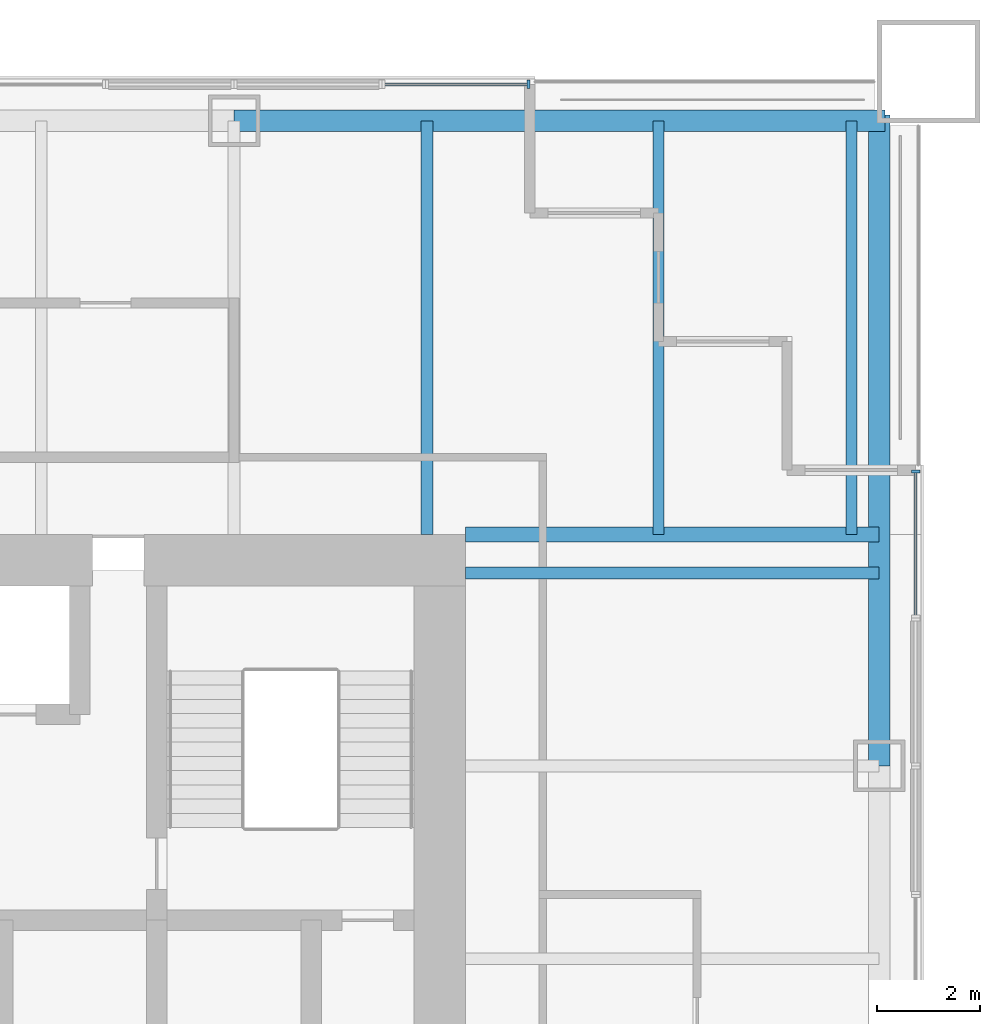
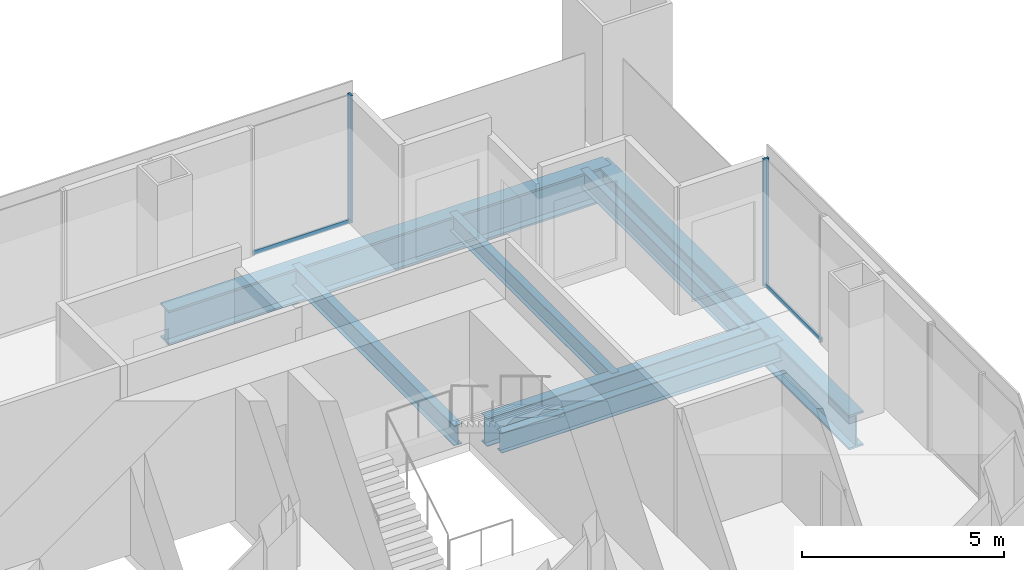
# One storey, part 7 of 14: 7 beams, 4 members, 2 elements without a shape of their own.
"""IFC4 building model written with IfcOpenShell, lengths in metres."""

import ifcopenshell
import ifcopenshell.guid

model = None  # the IFC model being written
_history = None  # IfcOwnerHistory: only IFC2X3 demands one
_inside = {}  # id of a spatial element -> (the spatial element, [elements in it])
_under = {}  # id of a project, library or spatial element -> (it, [spatial elements below it])
_declared = {}  # id of a project -> (the project, [libraries it declares])
_typed = {}  # id of a type object -> (the type object, [elements of that type])
_made_of = {}  # id of a material, layer set ... -> (it, [elements and type objects made of it])


def new_model(schema):
    """Start an empty IFC model of exactly this schema.

    Asked for "IFC4X3", IfcOpenShell would pick the latest addendum, in which some entities
    have other attributes; the version numbers below select the first issue.
    IFC2X3 requires an IfcOwnerHistory on every rooted entity: one is made here for all.
    """
    global model, _history
    if schema == "IFC4X3":
        model = ifcopenshell.file(schema_version=(4, 3, 0, 0))
    else:
        model = ifcopenshell.file(schema=schema)
    _inside.clear()
    _under.clear()
    _declared.clear()
    _typed.clear()
    _made_of.clear()
    _history = None
    if model.schema == "IFC2X3":
        org = make("IfcOrganization", Name="unknown")
        user = make(
            "IfcPersonAndOrganization",
            ThePerson=make("IfcPerson", FamilyName="unknown"),
            TheOrganization=org,
        )
        app = make(
            "IfcApplication",
            ApplicationDeveloper=org,
            Version="unknown",
            ApplicationFullName="unknown",
            ApplicationIdentifier="unknown",
        )
        _history = make(
            "IfcOwnerHistory",
            OwningUser=user,
            OwningApplication=app,
            ChangeAction="ADDED",
            CreationDate=0,
        )
    return model


def make(cls, **values):
    """One entity of the class cls with the attributes given. An attribute that is None is left unset."""
    return model.create_entity(
        cls, **{name: value for name, value in values.items() if value is not None}
    )


def rooted(cls, **values):
    """An entity with a GlobalId (a new one), such as an element, a storey or a relation."""
    return make(cls, GlobalId=ifcopenshell.guid.new(), OwnerHistory=_history, **values)


def si_unit(unit_type, name, prefix=None):
    """IfcSIUnit, for example si_unit("LENGTHUNIT", "METRE", prefix="MILLI")."""
    return make("IfcSIUnit", UnitType=unit_type, Prefix=prefix, Name=name)


def assignment(units):
    """IfcUnitAssignment: the units of a project."""
    return None if units is None else make("IfcUnitAssignment", Units=units)


def point(xyz):
    """IfcCartesianPoint."""
    return None if xyz is None else make("IfcCartesianPoint", Coordinates=xyz)


def direction(xyz):
    """IfcDirection."""
    return None if xyz is None else make("IfcDirection", DirectionRatios=xyz)


def frame(location, z_axis=None, x_axis=None):
    """IfcAxis2Placement3D, a coordinate frame: its origin and axes. An axis left out is left unset."""
    return make(
        "IfcAxis2Placement3D",
        Location=point(location),
        Axis=direction(z_axis),
        RefDirection=direction(x_axis),
    )


def frame_2d(location, x_axis=None):
    """IfcAxis2Placement2D, a coordinate frame in the plane: its origin and x axis."""
    return make(
        "IfcAxis2Placement2D", Location=point(location), RefDirection=direction(x_axis)
    )


def origin():
    """The frame at (0, 0, 0) with its axes left unset."""
    return frame((0.0, 0.0, 0.0))


def origin_2d():
    """The frame at (0, 0) in the plane with its x axis left unset."""
    return frame_2d((0.0, 0.0))


def place(relative_to, where):
    """IfcLocalPlacement: puts the frame where relative to a parent placement (None: the world)."""
    return make(
        "IfcLocalPlacement", PlacementRelTo=relative_to, RelativePlacement=where
    )


def context(
    kind, dimensions, precision=None, world=None, true_north=None, identifier=None
):
    """IfcGeometricRepresentationContext, for example the 3D "Model" context."""
    return make(
        "IfcGeometricRepresentationContext",
        ContextIdentifier=identifier,
        ContextType=kind,
        CoordinateSpaceDimension=dimensions,
        Precision=precision,
        WorldCoordinateSystem=world,
        TrueNorth=true_north,
    )


def subcontext(parent, identifier, kind, view, scale=None):
    """IfcGeometricRepresentationSubContext, for example "Body" below "Model"."""
    return make(
        "IfcGeometricRepresentationSubContext",
        ContextIdentifier=identifier,
        ContextType=kind,
        ParentContext=parent,
        TargetScale=scale,
        TargetView=view,
    )


def project(units=None, contexts=None):
    """IfcProject with its units and contexts."""
    return rooted(
        "IfcProject",
        Name="project",
        RepresentationContexts=contexts,
        UnitsInContext=assignment(units),
    )


def spatial(cls, under=None, at=None, **own):
    """A site, building, storey or space (cls), placed at a placement, below another one or the project."""
    s = rooted(cls, ObjectPlacement=at, **own)
    if under is not None:
        _under.setdefault(under.id(), (under, []))[1].append(s)
    return s


def profile(cls, at=None, kind="AREA", **sizes):
    """A parametric profile (cls). Its sizes go by their IFC names, for example OverallWidth=200.0."""
    return make(cls, ProfileType=kind, Position=at, **sizes)


def rectangle(**sizes):
    """IfcRectangleProfileDef."""
    return profile("IfcRectangleProfileDef", **sizes)


def i_section(**sizes):
    """IfcIShapeProfileDef."""
    return profile("IfcIShapeProfileDef", **sizes)


def extrude(swept, where, along, depth):
    """IfcExtrudedAreaSolid: the profile swept, set in the frame where, extruded along a direction by depth."""
    return make(
        "IfcExtrudedAreaSolid",
        SweptArea=swept,
        Position=where,
        ExtrudedDirection=direction(along),
        Depth=depth,
    )


def shape(context_of_items, identifier, shape_type, items):
    """IfcShapeRepresentation: the items that make up one representation, for example the "Body"."""
    return make(
        "IfcShapeRepresentation",
        ContextOfItems=context_of_items,
        RepresentationIdentifier=identifier,
        RepresentationType=shape_type,
        Items=items,
    )


def material(Name=None, Category=None):
    """IfcMaterial."""
    return make("IfcMaterial", Name=Name, Category=Category)


def material_profile(
    of_material, cross_section, Name=None, Category=None, Priority=None
):
    """IfcMaterialProfile: a cross section and its material."""
    return make(
        "IfcMaterialProfile",
        Name=Name,
        Material=of_material,
        Profile=cross_section,
        Priority=Priority,
        Category=Category,
    )


def profile_set(profiles, Name=None, composite=None):
    """IfcMaterialProfileSet."""
    return make(
        "IfcMaterialProfileSet",
        Name=Name,
        MaterialProfiles=profiles,
        CompositeProfile=composite,
    )


def made_of(thing, what):
    """Note that an element or type object is made of a material, layer set ...; save() writes the relation."""
    if what is not None:
        _made_of.setdefault(what.id(), (what, []))[1].append(thing)
    return thing


def type_object(cls, material=None, **own):
    """A type object (cls), such as IfcWallType, which elements share."""
    return made_of(rooted(cls, **own), material)


def element(
    cls,
    number,
    at=None,
    inside=None,
    cuts=None,
    type_object=None,
    material=None,
    context=None,
    identifier="Body",
    shape_type=None,
    held_by="IfcProductDefinitionShape",
    body=None,
    shapes=None,
    **own,
):
    """One element of the class cls, such as IfcWall. Its Tag is "e" and its number.

    at: its placement. inside: the storey or other place that contains it. cuts: it is an
    opening in that element (IfcRelVoidsElement). A single representation is given by context,
    identifier, shape_type and body (its items); several are given by shapes. held_by: the class
    of the entity that holds the representations. save() writes the other relations.
    """
    e = rooted(cls, Tag="e%d" % number, ObjectPlacement=at, **own)
    if body is not None:
        shapes = [shape(context, identifier, shape_type, body)]
    if shapes is not None:
        e.Representation = make(held_by, Representations=shapes)
    if inside is not None:
        _inside.setdefault(inside.id(), (inside, []))[1].append(e)
    if cuts is not None:
        rooted(
            "IfcRelVoidsElement", RelatingBuildingElement=cuts, RelatedOpeningElement=e
        )
    if type_object is not None:
        _typed.setdefault(type_object.id(), (type_object, []))[1].append(e)
    return made_of(e, material)


def aggregate(whole, parts):
    """IfcRelAggregates: a whole, such as a stair, and the parts it consists of."""
    return rooted("IfcRelAggregates", RelatingObject=whole, RelatedObjects=parts)


def save(model, path):
    """Write the relations noted so far, then the file.

    IfcRelAggregates (storeys below a building ...), IfcRelContainedInSpatialStructure (elements
    in a storey), IfcRelDefinesByType, IfcRelAssociatesMaterial and IfcRelDeclares: one each for
    every whole, place, type object, material and project.
    """
    for whole, parts in _under.values():
        aggregate(whole, parts)
    for where, things in _inside.values():
        rooted(
            "IfcRelContainedInSpatialStructure",
            RelatedElements=things,
            RelatingStructure=where,
        )
    for kind, things in _typed.values():
        rooted("IfcRelDefinesByType", RelatedObjects=things, RelatingType=kind)
    for what, things in _made_of.values():
        rooted("IfcRelAssociatesMaterial", RelatedObjects=things, RelatingMaterial=what)
    for by, libraries in _declared.values():
        rooted("IfcRelDeclares", RelatingContext=by, RelatedDefinitions=libraries)
    model.write(path)


model = new_model("IFC4")

# Units and contexts
model_context = context("Model", 3, precision=1e-05, world=origin(), true_north=direction((0.0, 1.0)))
body_context = subcontext(model_context, "Body", "Model", "MODEL_VIEW")
ifc_project = project(units=[si_unit("LENGTHUNIT", "METRE"), si_unit("AREAUNIT", "SQUARE_METRE"), si_unit("VOLUMEUNIT", "CUBIC_METRE"), si_unit("PLANEANGLEUNIT", "RADIAN"), si_unit("MASSUNIT", "GRAM", prefix="KILO")], contexts=[model_context])

# Site, building, storey
site_placement = place(None, origin())
site = spatial("IfcSite", under=ifc_project, at=site_placement, CompositionType="ELEMENT")
building_placement = place(site_placement, origin())
building = spatial("IfcBuilding", under=site, at=building_placement, Name="Tarangal Relay Tower", CompositionType="ELEMENT")
storey_placement = place(building_placement, frame((0.0, 0.0, 283.89990234375)))
storey = spatial("IfcBuildingStorey", under=building, at=storey_placement, Name="L62", CompositionType="ELEMENT", Elevation=283.89990234375)

# Beams
ifc_material_1 = material(Name="Steel ASTM A992", Category="steel")
ifc_material_profile_1 = material_profile(ifc_material_1, i_section(OverallWidth=0.209228515625, OverallDepth=0.533447265625, WebThickness=0.01025390625, FlangeThickness=0.015625, at=origin_2d()), Name="W21X62")
ifc_profile_set_1 = profile_set([ifc_material_profile_1], Name="Steel ASTM A992")
beam_type_1 = type_object("IfcBeamType", Name="Corner beam W21X62", PredefinedType="JOIST", material=ifc_profile_set_1)
for number, where, z_axis, x_axis, name in (
    (1, (15.75, 12.0, -0.41650390625), (0.0, 1.0, 0.0), (-1.0, 0.0, 0.0), "Corner beam CB12 N L62"),
    (2, (19.5, 12.0, -0.41650390625), (0.0, 1.0, 0.0), (-1.0, 0.0, 0.0), "Corner beam CB12 N L62"),
):
    element("IfcBeam", number, at=place(storey_placement, frame(where, z_axis=z_axis, x_axis=x_axis)), inside=storey, type_object=beam_type_1, Name=name, PredefinedType="JOIST", context=body_context, shape_type="SweptSolid", body=[
        extrude(i_section(OverallWidth=0.209228515625, OverallDepth=0.533447265625, WebThickness=0.01025390625, FlangeThickness=0.015625, at=origin_2d()), origin(), (0.0, 0.0, 1.0), 8.0400390625),
    ])
ifc_material_profile_2 = material_profile(ifc_material_1, i_section(OverallWidth=0.2919921875, OverallDepth=0.8408203125, WebThickness=0.0146484375, FlangeThickness=0.021728515625, at=origin_2d()), Name="W33X130")
ifc_profile_set_2 = profile_set([ifc_material_profile_2], Name="Steel ASTM A992")
beam_type_2 = type_object("IfcBeamType", Name="Corner girder W33X130", PredefinedType="BEAM", material=ifc_profile_set_2)
beam_placement = place(storey_placement, frame((12.0, 12.0, -0.5703125), z_axis=(1.0, 0.0, 0.0), x_axis=(0.0, 1.0, 0.0)))
element("IfcBeam", 3, at=beam_placement, inside=storey, type_object=beam_type_2, Name="Corner girder CG5 N L62", PredefinedType="BEAM", context=body_context, shape_type="SweptSolid", body=[
    extrude(i_section(OverallWidth=0.2919921875, OverallDepth=0.8408203125, WebThickness=0.0146484375, FlangeThickness=0.021728515625, at=origin_2d()), origin(), (0.0, 0.0, 1.0), 8.0400390625),
])
ifc_material_profile_3 = material_profile(ifc_material_1, i_section(OverallWidth=0.41162109375, OverallDepth=1.049072265625, WebThickness=0.033935546875, FlangeThickness=0.059814453125, at=origin_2d()), Name="W40X431")
ifc_profile_set_3 = profile_set([ifc_material_profile_3], Name="Steel ASTM A992")
beam_type_3 = type_object("IfcBeamType", Name="Edge girder W40X431", PredefinedType="SPANDREL", material=ifc_profile_set_3)
for number, where, z_axis, x_axis, name in (
    (4, (7.5, 20.0400390625, -0.67431640625), (1.0, 0.0, 0.0), (0.0, 1.0, 0.0), "Edge girder EG1 N L62"),
    (5, (20.0400390625, 20.14990234375, -0.67431640625), (0.0, -1.0, 0.0), (1.0, 0.0, 0.0), "Edge girder EG1 E L62"),
):
    element("IfcBeam", number, at=place(storey_placement, frame(where, z_axis=z_axis, x_axis=x_axis)), inside=storey, type_object=beam_type_3, Name=name, PredefinedType="SPANDREL", context=body_context, shape_type="SweptSolid", body=[
        extrude(i_section(OverallWidth=0.41162109375, OverallDepth=1.049072265625, WebThickness=0.033935546875, FlangeThickness=0.059814453125, at=origin_2d()), origin(), (0.0, 0.0, 1.0), 12.64990234375),
    ])
ifc_material_profile_4 = material_profile(ifc_material_1, i_section(OverallWidth=0.228271484375, OverallDepth=0.607177734375, WebThickness=0.01123046875, FlangeThickness=0.017333984375, at=origin_2d()), Name="W24X76")
ifc_profile_set_4 = profile_set([ifc_material_profile_4], Name="Steel ASTM A992")
beam_type_4 = type_object("IfcBeamType", Name="Floor beam W24X76", PredefinedType="BEAM", material=ifc_profile_set_4)
for number, where, z_axis, x_axis, name in (
    (6, (11.25, 12.0, -0.453369140625), (0.0, 1.0, 0.0), (-1.0, 0.0, 0.0), "Floor beam RB5 N L62"),
    (7, (12.0, 11.25, -0.453369140625), (1.0, 0.0, 0.0), (0.0, 1.0, 0.0), "Floor beam RB5 E L62"),
):
    element("IfcBeam", number, at=place(storey_placement, frame(where, z_axis=z_axis, x_axis=x_axis)), inside=storey, type_object=beam_type_4, Name=name, PredefinedType="BEAM", context=body_context, shape_type="SweptSolid", body=[
        extrude(i_section(OverallWidth=0.228271484375, OverallDepth=0.607177734375, WebThickness=0.01123046875, FlangeThickness=0.017333984375, at=origin_2d()), origin(), (0.0, 0.0, 1.0), 8.0400390625),
    ])

# Curtain wall, member
ifc_material_2 = material(Name="Unitised curtain wall, dark glass and black aluminium", Category="aluminium")
curtain_wall_type = type_object("IfcCurtainWallType", Name="Curtain wall CW-B", PredefinedType="USERDEFINED", material=ifc_material_2)
curtain_wall_1_placement = place(storey_placement, origin())
curtain_wall_1 = element("IfcCurtainWall", 8, at=curtain_wall_1_placement, inside=storey, type_object=curtain_wall_type, Name="Curtain wall CW-B N facade L62", ObjectType="UNITISED CURTAIN WALL", PredefinedType="USERDEFINED")
ifc_material_3 = material(Name="Black anodised aluminium mullion", Category="aluminium")
ifc_material_profile_5 = material_profile(ifc_material_3, rectangle(XDim=0.159912109375, YDim=0.06005859375, at=origin_2d()), Name="CW-BM 60X160")
ifc_profile_set_5 = profile_set([ifc_material_profile_5], Name="Black anodised aluminium mullion")
member_type_1 = type_object("IfcMemberType", Name="Mullion CW-B 60 x 160", PredefinedType="MULLION", material=ifc_profile_set_5)
member_1_placement = place(storey_placement, frame((13.219970703125, 20.75, 0.0), z_axis=(0.0, 0.0, 1.0), x_axis=(0.0, 1.0, 0.0)))
member_1 = element("IfcMember", 9, at=member_1_placement, type_object=member_type_1, Name="CW-B mullion 2", PredefinedType="MULLION", context=body_context, shape_type="SweptSolid", body=[
    extrude(rectangle(XDim=0.159912109375, YDim=0.06005859375, at=origin_2d()), origin(), (0.0, 0.0, 1.0), 3.85009765625),
])

curtain_wall_2_placement = place(storey_placement, origin())
curtain_wall_2 = element("IfcCurtainWall", 10, at=curtain_wall_2_placement, inside=storey, type_object=curtain_wall_type, Name="Curtain wall CW-B E facade L62", ObjectType="UNITISED CURTAIN WALL", PredefinedType="USERDEFINED")
member_2_placement = place(storey_placement, frame((20.75, 13.219970703125, 0.0), z_axis=(0.0, 0.0, 1.0), x_axis=(1.0, 0.0, 0.0)))
member_2 = element("IfcMember", 11, at=member_2_placement, type_object=member_type_1, Name="CW-B mullion 1", PredefinedType="MULLION", context=body_context, shape_type="SweptSolid", body=[
    extrude(rectangle(XDim=0.159912109375, YDim=0.06005859375, at=origin_2d()), origin(), (0.0, 0.0, 1.0), 3.85009765625),
])

# Member
ifc_material_4 = material(Name="Black anodised aluminium transom", Category="aluminium")
ifc_material_profile_6 = material_profile(ifc_material_4, rectangle(XDim=0.06005859375, YDim=0.1298828125, at=origin_2d()), Name="CW-BT 60X130")
ifc_profile_set_6 = profile_set([ifc_material_profile_6], Name="Black anodised aluminium transom")
member_type_2 = type_object("IfcMemberType", Name="Transom CW-B 60 x 130", PredefinedType="USERDEFINED", material=ifc_profile_set_6)
member_3_placement = place(storey_placement, frame((10.43505859375, 20.75, 0.030029296875), z_axis=(1.0, 0.0, 0.0), x_axis=(0.0, 1.0, 0.0)))
member_3 = element("IfcMember", 12, at=member_3_placement, type_object=member_type_2, Name="CW-B transom 1.1", ObjectType="TRANSOM", PredefinedType="USERDEFINED", context=body_context, shape_type="SweptSolid", body=[
    extrude(rectangle(XDim=0.06005859375, YDim=0.1298828125, at=origin_2d()), origin(), (0.0, 0.0, 1.0), 2.7548828125),
])

aggregate(curtain_wall_1, [member_1, member_3])

member_4_placement = place(storey_placement, frame((20.75, 13.18994140625, 0.030029296875), z_axis=(0.0, -1.0, 0.0), x_axis=(1.0, 0.0, 0.0)))
member_4 = element("IfcMember", 13, at=member_4_placement, type_object=member_type_2, Name="CW-B transom 1.1", ObjectType="TRANSOM", PredefinedType="USERDEFINED", context=body_context, shape_type="SweptSolid", body=[
    extrude(rectangle(XDim=0.06005859375, YDim=0.1298828125, at=origin_2d()), origin(), (0.0, 0.0, 1.0), 2.7548828125),
])

aggregate(curtain_wall_2, [member_2, member_4])

save(model, "model.ifc")
